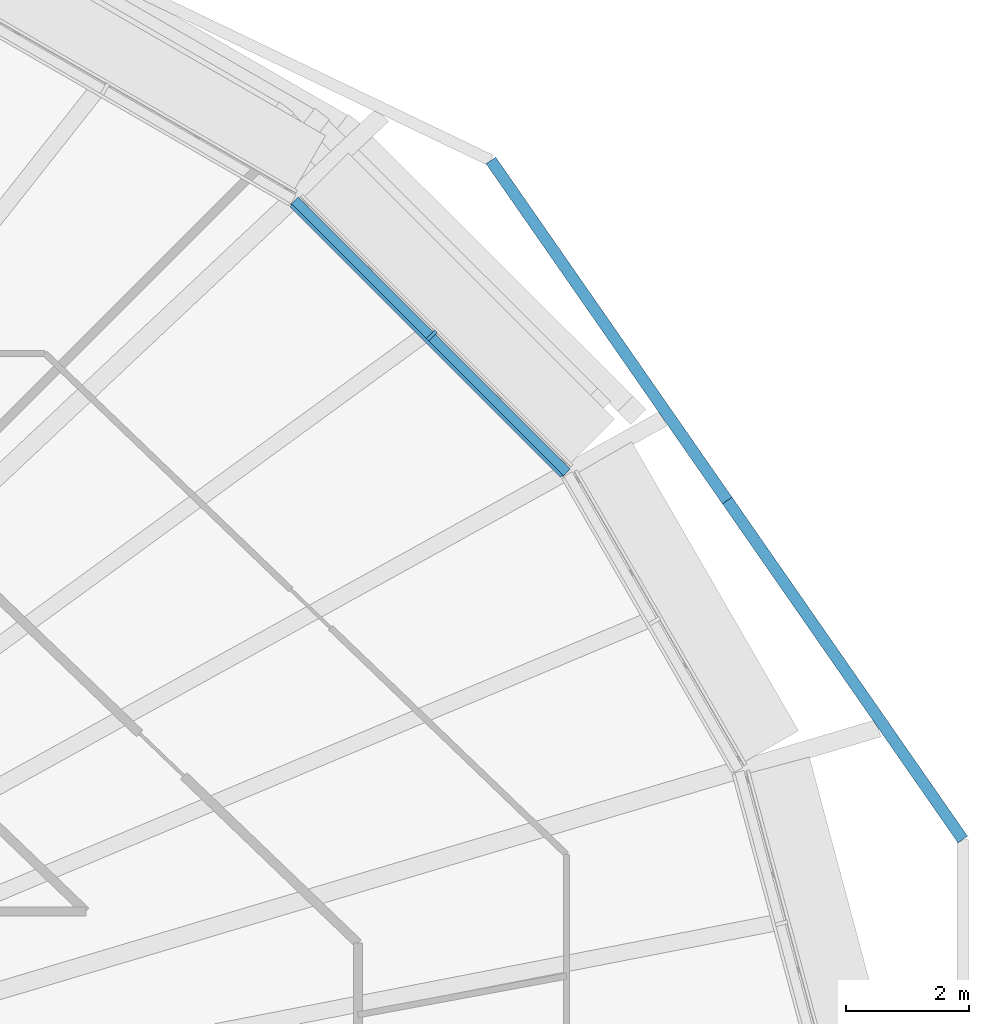
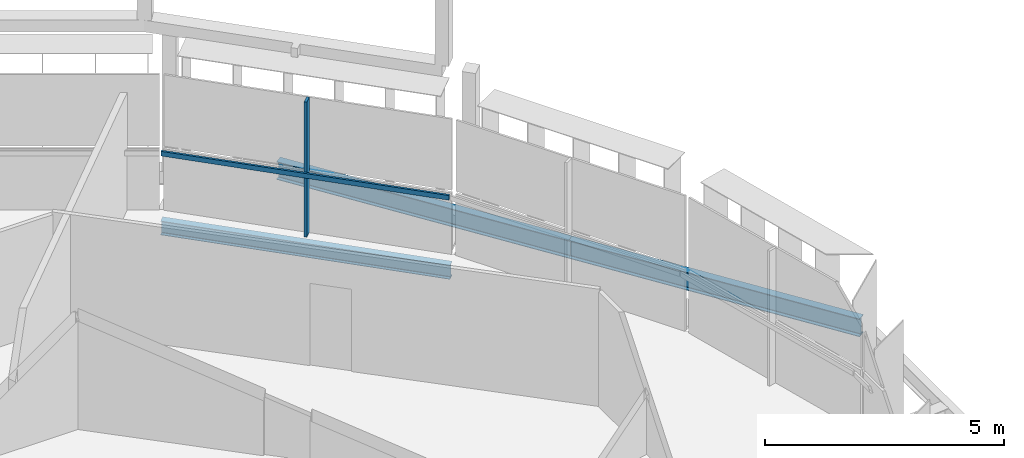
# One storey, part 8 of 21: 3 beams, 2 members, 1 element without a shape of its own.
"""IFC4 building model written with IfcOpenShell, lengths in metres."""

from ifc_helpers import new_model, si_unit, direction, frame, origin, origin_2d, place, context, subcontext, project, spatial, rectangle, i_section, extrude, material, layer, layer_set, material_profile, profile_set, type_object, element, aggregate, save


model = new_model("IFC4")

# Units and contexts
model_context = context("Model", 3, precision=1e-05, world=origin(), true_north=direction((0.0, 1.0)))
body_context = subcontext(model_context, "Body", "Model", "MODEL_VIEW")
ifc_project = project(units=[si_unit("LENGTHUNIT", "METRE"), si_unit("AREAUNIT", "SQUARE_METRE"), si_unit("VOLUMEUNIT", "CUBIC_METRE"), si_unit("PLANEANGLEUNIT", "RADIAN"), si_unit("MASSUNIT", "GRAM", prefix="KILO")], contexts=[model_context])

# Site, building, storey
site_placement = place(None, origin())
site = spatial("IfcSite", under=ifc_project, at=site_placement, CompositionType="ELEMENT")
building_placement = place(site_placement, origin())
building = spatial("IfcBuilding", under=site, at=building_placement, Name="Sahrelin Media Tower", CompositionType="ELEMENT")
storey_placement = place(building_placement, frame((0.0, 0.0, 304.39990234375)))
storey = spatial("IfcBuildingStorey", under=building, at=storey_placement, Name="L67", CompositionType="ELEMENT", Elevation=304.39990234375)

# Beam
ifc_material_1 = material(Name="Steel S355", Category="steel")
ifc_material_profile_1 = material_profile(ifc_material_1, i_section(OverallWidth=0.17138671875, OverallDepth=0.35498046875, WebThickness=0.00732421875, FlangeThickness=0.011474609375, FilletRadius=0.01025390625, at=origin_2d()), Name="UB 356x171x51")
ifc_profile_set_1 = profile_set([ifc_material_profile_1], Name="Steel S355")
beam_type_1 = type_object("IfcBeamType", Name="Edge beam EB3", PredefinedType="BEAM", material=ifc_profile_set_1)
beam_1_placement = place(storey_placement, frame((17.915283203125, 16.78515625, -0.327392578125), z_axis=(0.707087309439, -0.707126252398, 0.0), x_axis=(0.707126252398, 0.707087309439, 0.0)))
element("IfcBeam", 1, at=beam_1_placement, inside=storey, type_object=beam_type_1, Name="Edge beam L67-22", PredefinedType="BEAM", context=body_context, shape_type="SweptSolid", body=[
    extrude(i_section(OverallWidth=0.17138671875, OverallDepth=0.35498046875, WebThickness=0.00732421875, FlangeThickness=0.011474609375, FilletRadius=0.01025390625, at=origin_2d()), origin(), (0.0, 0.0, 1.0), 6.269287109375),
])

# Curtain wall, member
ifc_material_2 = material(Name="Champagne anodised aluminium 6063-T6", Category="aluminium")
ifc_layer = layer(ifc_material_2, 0.14990234375)
ifc_layer_set = layer_set([ifc_layer], Name="Tower ribbon curtain wall")
curtain_wall_type = type_object("IfcCurtainWallType", Name="Tower ribbon curtain wall", PredefinedType="NOTDEFINED", material=ifc_layer_set)
curtain_wall_placement = place(storey_placement, frame((20.23779296875, 14.674560546875, 0.0), z_axis=(0.0, 0.0, 1.0), x_axis=(1.0, 0.0, 0.0)))
curtain_wall = element("IfcCurtainWall", 2, at=curtain_wall_placement, inside=storey, type_object=curtain_wall_type, Name="L67:CW:L67-03", PredefinedType="NOTDEFINED")
ifc_material_profile_2 = material_profile(ifc_material_2, rectangle(XDim=0.06005859375, YDim=0.199951171875, at=origin_2d()), Name="Mullion 60x200")
ifc_profile_set_2 = profile_set([ifc_material_profile_2], Name="Champagne anodised aluminium 6063-T6")
member_type_1 = type_object("IfcMemberType", Name="Mullion 60x200 CW1C", PredefinedType="MULLION", material=ifc_profile_set_2)
member_1_placement = place(storey_placement, frame((20.15283203125, 14.58984375, 0.0), z_axis=(0.0, 0.0, 1.0), x_axis=(-0.707106781187, 0.707106781187, 0.0)))
member_1 = element("IfcMember", 3, at=member_1_placement, type_object=member_type_1, Name="L67:CWM:L67-03", PredefinedType="MULLION", context=body_context, shape_type="SweptSolid", body=[
    extrude(rectangle(XDim=0.06005859375, YDim=0.199951171875, at=origin_2d()), origin(), (0.0, 0.0, 1.0), 3.44873046875),
])

# Beams
ifc_material_profile_3 = material_profile(ifc_material_1, i_section(OverallWidth=0.1904296875, OverallDepth=0.45703125, WebThickness=0.009033203125, FlangeThickness=0.014404296875, FilletRadius=0.01025390625, at=origin_2d()), Name="UB 457x191x74")
ifc_profile_set_3 = profile_set([ifc_material_profile_3], Name="Steel S355")
beam_type_2 = type_object("IfcBeamType", Name="Tie chord TC5", PredefinedType="BEAM", material=ifc_profile_set_3)
beam_2_placement = place(storey_placement, frame((21.11669921875, 17.4443359375, -0.37841796875), z_axis=(0.570711589945, -0.821150583695, 0.0), x_axis=(0.821150583695, 0.570711589945, 0.0)))
element("IfcBeam", 4, at=beam_2_placement, inside=storey, type_object=beam_type_2, Name="Tie chord L67-19", PredefinedType="BEAM", context=body_context, shape_type="SweptSolid", body=[
    extrude(i_section(OverallWidth=0.1904296875, OverallDepth=0.45703125, WebThickness=0.009033203125, FlangeThickness=0.014404296875, FilletRadius=0.01025390625, at=origin_2d()), origin(), (0.0, 0.0, 1.0), 6.750732421875),
])
beam_3_placement = place(storey_placement, frame((24.969482421875, 11.90087890625, -0.37841796875), z_axis=(0.570620128594, -0.82121414311, 0.0), x_axis=(0.82121414311, 0.570620128594, 0.0)))
element("IfcBeam", 5, at=beam_3_placement, inside=storey, type_object=beam_type_2, Name="Tie chord L67-20", PredefinedType="BEAM", context=body_context, shape_type="SweptSolid", body=[
    extrude(i_section(OverallWidth=0.1904296875, OverallDepth=0.45703125, WebThickness=0.009033203125, FlangeThickness=0.014404296875, FilletRadius=0.01025390625, at=origin_2d()), origin(), (0.0, 0.0, 1.0), 6.730224609375),
])

# Member
ifc_material_profile_4 = material_profile(ifc_material_2, rectangle(XDim=0.050048828125, YDim=0.1201171875, at=origin_2d()), Name="Transom 50x120")
ifc_profile_set_4 = profile_set([ifc_material_profile_4], Name="Champagne anodised aluminium 6063-T6")
member_type_2 = type_object("IfcMemberType", Name="Transom 50x120 CW1C", PredefinedType="USERDEFINED", material=ifc_profile_set_4)
member_2_placement = place(storey_placement, frame((22.27001953125, 12.2958984375, 1.60009765625), z_axis=(-0.707106781187, 0.707106781187, 0.0), x_axis=(-0.707106781187, -0.707106781187, 0.0)))
member_2 = element("IfcMember", 6, at=member_2_placement, type_object=member_type_2, Name="L67:CWT:L67-03", ObjectType="TRANSOM", PredefinedType="USERDEFINED", context=body_context, shape_type="SweptSolid", body=[
    extrude(rectangle(XDim=0.050048828125, YDim=0.1201171875, at=origin_2d()), origin(), (0.0, 0.0, 1.0), 6.238037109375),
])

aggregate(curtain_wall, [member_1, member_2])

save(model, "model.ifc")
